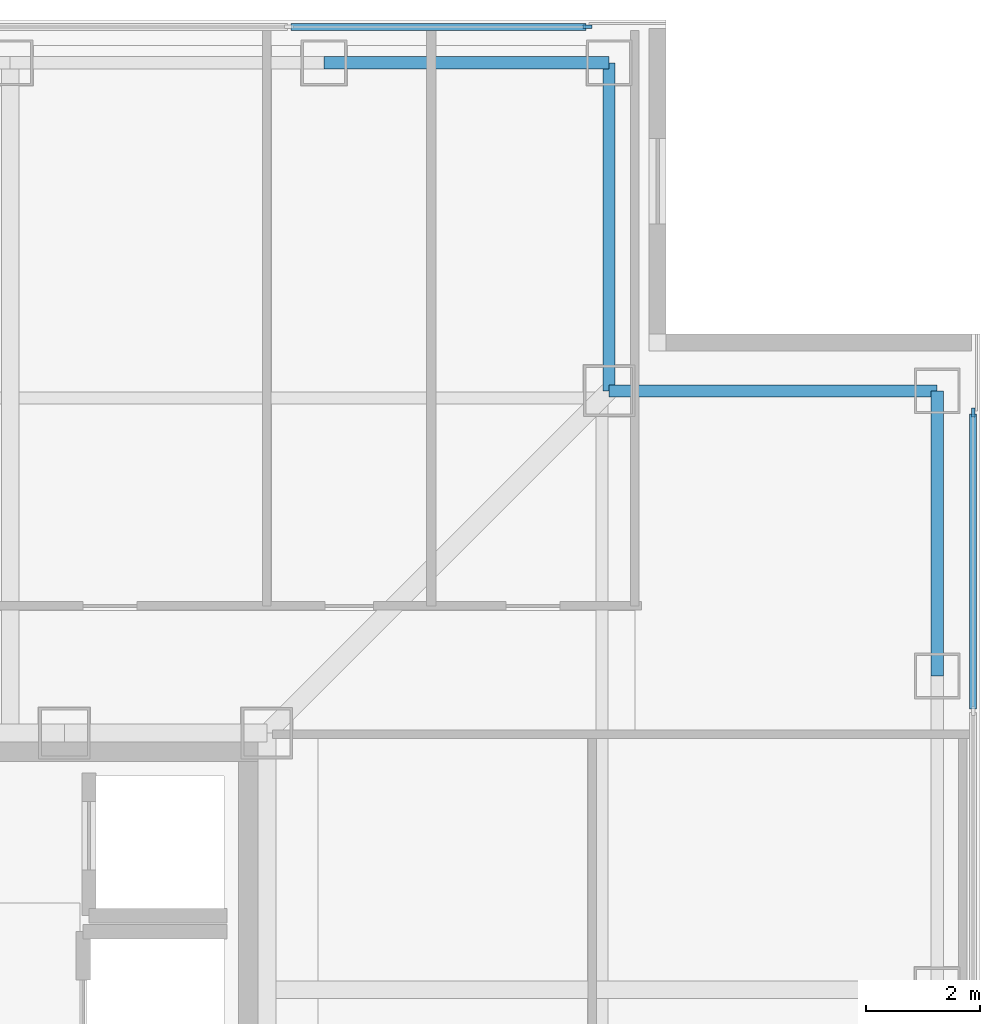
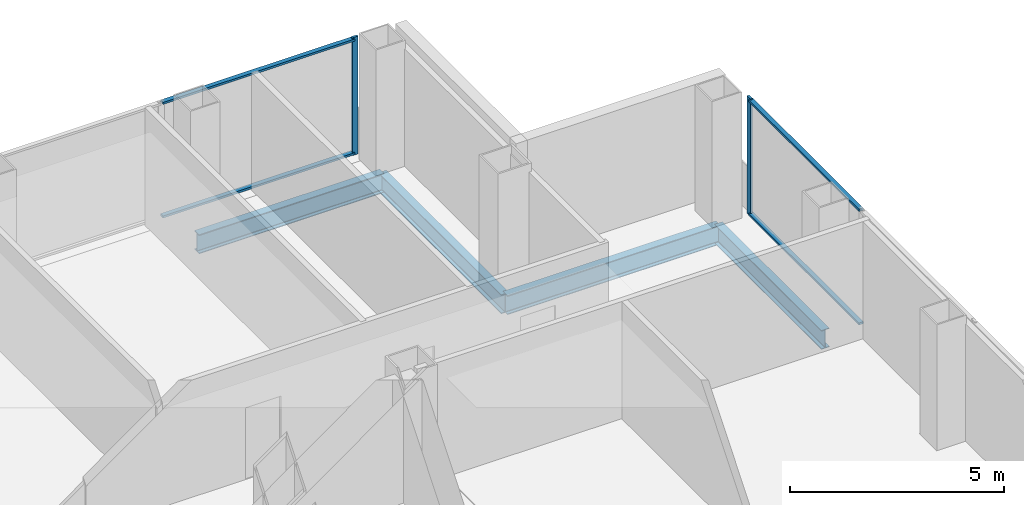
# One storey, part 9 of 16: 6 members, 4 beams, 2 elements without a shape of their own.
"""IFC4 building model written with IfcOpenShell, lengths in metres."""

from ifc_helpers import new_model, si_unit, direction, frame, origin, origin_2d, place, context, subcontext, project, spatial, rectangle, i_section, extrude, material, layer, layer_set, material_profile, profile_set, type_object, element, aggregate, save


model = new_model("IFC4")

# Units and contexts
model_context = context("Model", 3, precision=1e-05, world=origin(), true_north=direction((0.0, 1.0)))
body_context = subcontext(model_context, "Body", "Model", "MODEL_VIEW")
ifc_project = project(units=[si_unit("LENGTHUNIT", "METRE"), si_unit("AREAUNIT", "SQUARE_METRE"), si_unit("VOLUMEUNIT", "CUBIC_METRE"), si_unit("PLANEANGLEUNIT", "RADIAN"), si_unit("MASSUNIT", "GRAM", prefix="KILO")], contexts=[model_context])

# Site, building, storey
site_placement = place(None, origin())
site = spatial("IfcSite", under=ifc_project, at=site_placement, CompositionType="ELEMENT")
building_placement = place(site_placement, origin())
building = spatial("IfcBuilding", under=site, at=building_placement, Name="Trevonay Congress Spire", CompositionType="ELEMENT")
storey_placement = place(building_placement, frame((0.0, 0.0, 177.0)))
storey = spatial("IfcBuildingStorey", under=building, at=storey_placement, Name="L45", CompositionType="ELEMENT", Elevation=177.0)

# Beams
ifc_material_1 = material(Name="Steel ASTM A572 Grade 50", Category="steel")
ifc_material_profile_1 = material_profile(ifc_material_1, i_section(OverallWidth=0.2119140625, OverallDepth=0.5439453125, WebThickness=0.01318359375, FlangeThickness=0.021240234375, FilletRadius=0.014892578125, at=origin_2d()), Name="W530x123")
ifc_profile_set_1 = profile_set([ifc_material_profile_1], Name="Steel ASTM A572 Grade 50")
beam_type = type_object("IfcBeamType", Name="BM-RING-W530X123", PredefinedType="BEAM", material=ifc_profile_set_1)
for number, where, z_axis, x_axis, name in (
    (1, (8.5, 19.25, -0.511962890625), (1.0, 0.0, 0.0), (0.0, 1.0, 0.0), "L45 structural beam BM-L45-PN5"),
    (2, (19.25, 8.5, -0.511962890625), (0.0, 1.0, 0.0), (-1.0, 0.0, 0.0), "L45 structural beam BM-L45-PE5"),
):
    element("IfcBeam", number, at=place(storey_placement, frame(where, z_axis=z_axis, x_axis=x_axis)), inside=storey, type_object=beam_type, Name=name, PredefinedType="BEAM", context=body_context, shape_type="SweptSolid", body=[
        extrude(i_section(OverallWidth=0.2119140625, OverallDepth=0.5439453125, WebThickness=0.01318359375, FlangeThickness=0.021240234375, FilletRadius=0.014892578125, at=origin_2d()), origin(), (0.0, 0.0, 1.0), 5.0),
    ])
for number, where, z_axis, x_axis, name in (
    (3, (13.5, 19.25, -0.511962890625), (0.0, -1.0, 0.0), (1.0, 0.0, 0.0), "L45 structural beam BM-L45-N1NE"),
    (4, (19.25, 13.5, -0.511962890625), (-1.0, 0.0, 0.0), (0.0, -1.0, 0.0), "L45 structural beam BM-L45-N2NE"),
):
    element("IfcBeam", number, at=place(storey_placement, frame(where, z_axis=z_axis, x_axis=x_axis)), inside=storey, type_object=beam_type, Name=name, PredefinedType="BEAM", context=body_context, shape_type="SweptSolid", body=[
        extrude(i_section(OverallWidth=0.2119140625, OverallDepth=0.5439453125, WebThickness=0.01318359375, FlangeThickness=0.021240234375, FilletRadius=0.014892578125, at=origin_2d()), origin(), (0.0, 0.0, 1.0), 5.75),
    ])

# Curtain wall, member
ifc_material_2 = material(Name="Pale Anodised Aluminium EN AW-6063-T6", Category="aluminium")
ifc_layer = layer(ifc_material_2, 0.169921875, Name="Pale Anodised Aluminium EN AW-6063-T6")
ifc_layer_set = layer_set([ifc_layer], Name="Pale Anodised Aluminium EN AW-6063-T6")
curtain_wall_type = type_object("IfcCurtainWallType", Name="CW-SYS04-CORP-PALE-METAL", PredefinedType="NOTDEFINED", material=ifc_layer_set)
curtain_wall_1_placement = place(storey_placement, origin())
curtain_wall_1 = element("IfcCurtainWall", 5, at=curtain_wall_1_placement, inside=storey, type_object=curtain_wall_type, Name="L45 N unitised curtain wall", PredefinedType="NOTDEFINED")
ifc_material_profile_2 = material_profile(ifc_material_2, rectangle(XDim=0.06005859375, YDim=0.159912109375, at=origin_2d()), Name="CW-MULLION-160-ALUMINIUM")
ifc_profile_set_2 = profile_set([ifc_material_profile_2], Name="Pale Anodised Aluminium EN AW-6063-T6")
member_type_1 = type_object("IfcMemberType", Name="CW-MULLION-160-ALUMINIUM", PredefinedType="MULLION", material=ifc_profile_set_2)
member_1_placement = place(storey_placement, frame((13.1201171875, 19.8798828125, 0.0), z_axis=(0.0, 0.0, 1.0), x_axis=(0.0, 1.0, 0.0)))
member_1 = element("IfcMember", 6, at=member_1_placement, type_object=member_type_1, Name="CW04 mullion 6", PredefinedType="MULLION", context=body_context, shape_type="SweptSolid", body=[
    extrude(rectangle(XDim=0.06005859375, YDim=0.159912109375, at=origin_2d()), origin(), (0.0, 0.0, 1.0), 3.360107421875),
])

curtain_wall_2_placement = place(storey_placement, origin())
curtain_wall_2 = element("IfcCurtainWall", 7, at=curtain_wall_2_placement, inside=storey, type_object=curtain_wall_type, Name="L45 E unitised curtain wall", PredefinedType="NOTDEFINED")
member_2_placement = place(storey_placement, frame((19.8798828125, 13.1201171875, 0.0), z_axis=(0.0, 0.0, 1.0), x_axis=(-1.0, 0.0, 0.0)))
member_2 = element("IfcMember", 8, at=member_2_placement, type_object=member_type_1, Name="CW04 mullion 6", PredefinedType="MULLION", context=body_context, shape_type="SweptSolid", body=[
    extrude(rectangle(XDim=0.06005859375, YDim=0.159912109375, at=origin_2d()), origin(), (0.0, 0.0, 1.0), 3.360107421875),
])

# Member
ifc_material_profile_3 = material_profile(ifc_material_2, rectangle(XDim=0.1201171875, YDim=0.06005859375, at=origin_2d()), Name="CW-TRANSOM-120-ALUMINIUM")
ifc_profile_set_3 = profile_set([ifc_material_profile_3], Name="Pale Anodised Aluminium EN AW-6063-T6")
member_type_2 = type_object("IfcMemberType", Name="CW-TRANSOM-120-ALUMINIUM", PredefinedType="USERDEFINED", material=ifc_profile_set_3)
member_3_placement = place(storey_placement, frame((7.919921875, 19.8798828125, 0.06005859375), z_axis=(1.0, 0.0, 0.0), x_axis=(0.0, 1.0, 0.0)))
member_3 = element("IfcMember", 9, at=member_3_placement, type_object=member_type_2, Name="CW04 transom 5.1", ObjectType="TRANSOM", PredefinedType="USERDEFINED", context=body_context, shape_type="SweptSolid", body=[
    extrude(rectangle(XDim=0.1201171875, YDim=0.06005859375, at=origin_2d()), origin(), (0.0, 0.0, 1.0), 5.170166015625),
])

member_4_placement = place(storey_placement, frame((7.919921875, 19.8798828125, 3.300048828125), z_axis=(1.0, 0.0, 0.0), x_axis=(0.0, 1.0, 0.0)))
member_4 = element("IfcMember", 10, at=member_4_placement, type_object=member_type_2, Name="CW04 transom 5.2", ObjectType="TRANSOM", PredefinedType="USERDEFINED", context=body_context, shape_type="SweptSolid", body=[
    extrude(rectangle(XDim=0.1201171875, YDim=0.06005859375, at=origin_2d()), origin(), (0.0, 0.0, 1.0), 5.170166015625),
])

aggregate(curtain_wall_1, [member_1, member_3, member_4])

member_5_placement = place(storey_placement, frame((19.8798828125, 7.919921875, 0.06005859375), z_axis=(0.0, 1.0, 0.0), x_axis=(-1.0, 0.0, 0.0)))
member_5 = element("IfcMember", 11, at=member_5_placement, type_object=member_type_2, Name="CW04 transom 5.1", ObjectType="TRANSOM", PredefinedType="USERDEFINED", context=body_context, shape_type="SweptSolid", body=[
    extrude(rectangle(XDim=0.1201171875, YDim=0.06005859375, at=origin_2d()), origin(), (0.0, 0.0, 1.0), 5.170166015625),
])

member_6_placement = place(storey_placement, frame((19.8798828125, 7.919921875, 3.300048828125), z_axis=(0.0, 1.0, 0.0), x_axis=(-1.0, 0.0, 0.0)))
member_6 = element("IfcMember", 12, at=member_6_placement, type_object=member_type_2, Name="CW04 transom 5.2", ObjectType="TRANSOM", PredefinedType="USERDEFINED", context=body_context, shape_type="SweptSolid", body=[
    extrude(rectangle(XDim=0.1201171875, YDim=0.06005859375, at=origin_2d()), origin(), (0.0, 0.0, 1.0), 5.170166015625),
])

aggregate(curtain_wall_2, [member_2, member_5, member_6])

save(model, "model.ifc")
